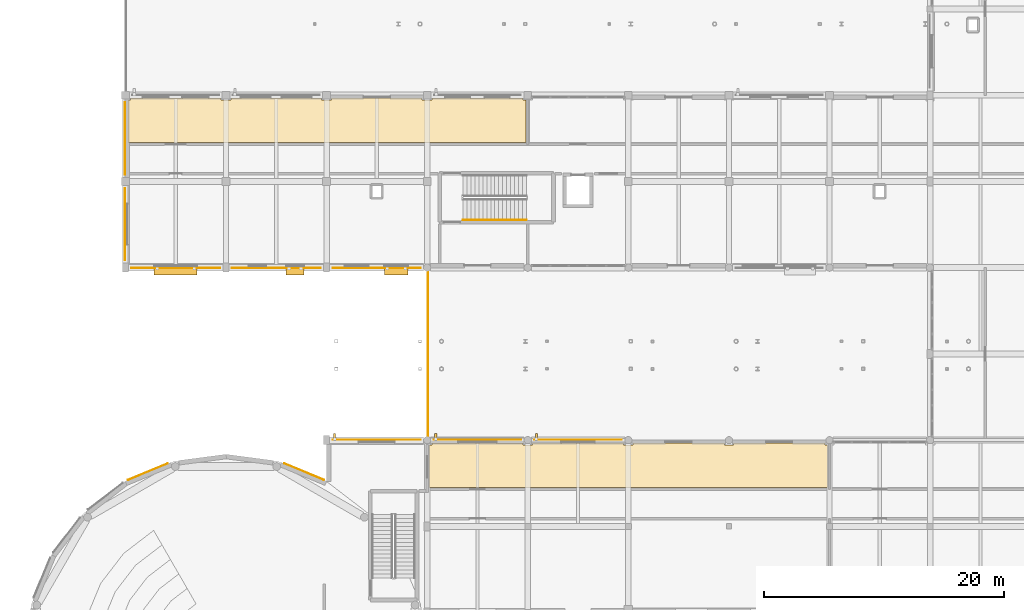
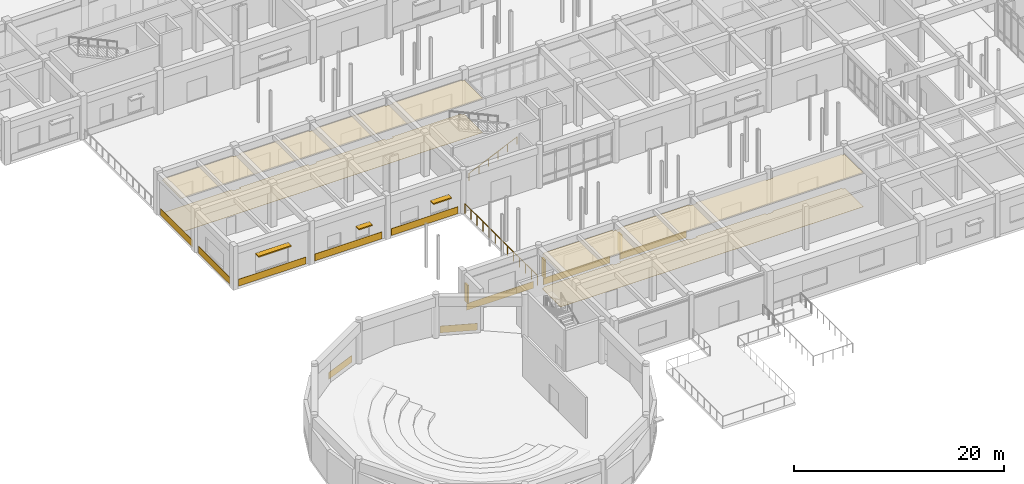
# One storey, part 100 of 121: 14 coverings, 6 shading devices, 2 railings.
"""IFC4 building model written with IfcOpenShell, lengths in metres."""

import ifcopenshell
import ifcopenshell.guid

model = None  # the IFC model being written
_history = None  # IfcOwnerHistory: only IFC2X3 demands one
_inside = {}  # id of a spatial element -> (the spatial element, [elements in it])
_under = {}  # id of a project, library or spatial element -> (it, [spatial elements below it])
_declared = {}  # id of a project -> (the project, [libraries it declares])
_typed = {}  # id of a type object -> (the type object, [elements of that type])
_made_of = {}  # id of a material, layer set ... -> (it, [elements and type objects made of it])


def new_model(schema):
    """Start an empty IFC model of exactly this schema.

    Asked for "IFC4X3", IfcOpenShell would pick the latest addendum, in which some entities
    have other attributes; the version numbers below select the first issue.
    IFC2X3 requires an IfcOwnerHistory on every rooted entity: one is made here for all.
    """
    global model, _history
    if schema == "IFC4X3":
        model = ifcopenshell.file(schema_version=(4, 3, 0, 0))
    else:
        model = ifcopenshell.file(schema=schema)
    _inside.clear()
    _under.clear()
    _declared.clear()
    _typed.clear()
    _made_of.clear()
    _history = None
    if model.schema == "IFC2X3":
        org = make("IfcOrganization", Name="unknown")
        user = make(
            "IfcPersonAndOrganization",
            ThePerson=make("IfcPerson", FamilyName="unknown"),
            TheOrganization=org,
        )
        app = make(
            "IfcApplication",
            ApplicationDeveloper=org,
            Version="unknown",
            ApplicationFullName="unknown",
            ApplicationIdentifier="unknown",
        )
        _history = make(
            "IfcOwnerHistory",
            OwningUser=user,
            OwningApplication=app,
            ChangeAction="ADDED",
            CreationDate=0,
        )
    return model


def make(cls, **values):
    """One entity of the class cls with the attributes given. An attribute that is None is left unset."""
    return model.create_entity(
        cls, **{name: value for name, value in values.items() if value is not None}
    )


def rooted(cls, **values):
    """An entity with a GlobalId (a new one), such as an element, a storey or a relation."""
    return make(cls, GlobalId=ifcopenshell.guid.new(), OwnerHistory=_history, **values)


def si_unit(unit_type, name, prefix=None):
    """IfcSIUnit, for example si_unit("LENGTHUNIT", "METRE", prefix="MILLI")."""
    return make("IfcSIUnit", UnitType=unit_type, Prefix=prefix, Name=name)


def assignment(units):
    """IfcUnitAssignment: the units of a project."""
    return None if units is None else make("IfcUnitAssignment", Units=units)


def point(xyz):
    """IfcCartesianPoint."""
    return None if xyz is None else make("IfcCartesianPoint", Coordinates=xyz)


def direction(xyz):
    """IfcDirection."""
    return None if xyz is None else make("IfcDirection", DirectionRatios=xyz)


def frame(location, z_axis=None, x_axis=None):
    """IfcAxis2Placement3D, a coordinate frame: its origin and axes. An axis left out is left unset."""
    return make(
        "IfcAxis2Placement3D",
        Location=point(location),
        Axis=direction(z_axis),
        RefDirection=direction(x_axis),
    )


def frame_2d(location, x_axis=None):
    """IfcAxis2Placement2D, a coordinate frame in the plane: its origin and x axis."""
    return make(
        "IfcAxis2Placement2D", Location=point(location), RefDirection=direction(x_axis)
    )


def origin():
    """The frame at (0, 0, 0) with its axes left unset."""
    return frame((0.0, 0.0, 0.0))


def origin_2d():
    """The frame at (0, 0) in the plane with its x axis left unset."""
    return frame_2d((0.0, 0.0))


def place(relative_to, where):
    """IfcLocalPlacement: puts the frame where relative to a parent placement (None: the world)."""
    return make(
        "IfcLocalPlacement", PlacementRelTo=relative_to, RelativePlacement=where
    )


def context(
    kind, dimensions, precision=None, world=None, true_north=None, identifier=None
):
    """IfcGeometricRepresentationContext, for example the 3D "Model" context."""
    return make(
        "IfcGeometricRepresentationContext",
        ContextIdentifier=identifier,
        ContextType=kind,
        CoordinateSpaceDimension=dimensions,
        Precision=precision,
        WorldCoordinateSystem=world,
        TrueNorth=true_north,
    )


def subcontext(parent, identifier, kind, view, scale=None):
    """IfcGeometricRepresentationSubContext, for example "Body" below "Model"."""
    return make(
        "IfcGeometricRepresentationSubContext",
        ContextIdentifier=identifier,
        ContextType=kind,
        ParentContext=parent,
        TargetScale=scale,
        TargetView=view,
    )


def project(units=None, contexts=None):
    """IfcProject with its units and contexts."""
    return rooted(
        "IfcProject",
        Name="project",
        RepresentationContexts=contexts,
        UnitsInContext=assignment(units),
    )


def spatial(cls, under=None, at=None, **own):
    """A site, building, storey or space (cls), placed at a placement, below another one or the project."""
    s = rooted(cls, ObjectPlacement=at, **own)
    if under is not None:
        _under.setdefault(under.id(), (under, []))[1].append(s)
    return s


def polyline(points):
    """IfcPolyline through the points."""
    return make("IfcPolyline", Points=[point(p) for p in points])


def profile(cls, at=None, kind="AREA", **sizes):
    """A parametric profile (cls). Its sizes go by their IFC names, for example OverallWidth=200.0."""
    return make(cls, ProfileType=kind, Position=at, **sizes)


def rectangle(**sizes):
    """IfcRectangleProfileDef."""
    return profile("IfcRectangleProfileDef", **sizes)


def circle(**sizes):
    """IfcCircleProfileDef."""
    return profile("IfcCircleProfileDef", **sizes)


def outline(outer, holes=None, kind="AREA"):
    """IfcArbitraryClosedProfileDef: a profile drawn as a closed curve; with holes, ...WithVoids."""
    if holes is None:
        return make("IfcArbitraryClosedProfileDef", ProfileType=kind, OuterCurve=outer)
    return make(
        "IfcArbitraryProfileDefWithVoids",
        ProfileType=kind,
        OuterCurve=outer,
        InnerCurves=holes,
    )


def extrude(swept, where, along, depth):
    """IfcExtrudedAreaSolid: the profile swept, set in the frame where, extruded along a direction by depth."""
    return make(
        "IfcExtrudedAreaSolid",
        SweptArea=swept,
        Position=where,
        ExtrudedDirection=direction(along),
        Depth=depth,
    )


def shape(context_of_items, identifier, shape_type, items):
    """IfcShapeRepresentation: the items that make up one representation, for example the "Body"."""
    return make(
        "IfcShapeRepresentation",
        ContextOfItems=context_of_items,
        RepresentationIdentifier=identifier,
        RepresentationType=shape_type,
        Items=items,
    )


def material(Name=None, Category=None):
    """IfcMaterial."""
    return make("IfcMaterial", Name=Name, Category=Category)


def layer(
    of_material, thickness, ventilated=None, Name=None, Category=None, Priority=None
):
    """IfcMaterialLayer: one layer of a wall or slab, of a material (None: an air gap)."""
    return make(
        "IfcMaterialLayer",
        Material=of_material,
        LayerThickness=thickness,
        IsVentilated=ventilated,
        Name=Name,
        Category=Category,
        Priority=Priority,
    )


def layer_set(layers, Name=None):
    """IfcMaterialLayerSet."""
    return make("IfcMaterialLayerSet", MaterialLayers=layers, LayerSetName=Name)


def made_of(thing, what):
    """Note that an element or type object is made of a material, layer set ...; save() writes the relation."""
    if what is not None:
        _made_of.setdefault(what.id(), (what, []))[1].append(thing)
    return thing


def type_object(cls, material=None, **own):
    """A type object (cls), such as IfcWallType, which elements share."""
    return made_of(rooted(cls, **own), material)


def element(
    cls,
    number,
    at=None,
    inside=None,
    cuts=None,
    type_object=None,
    material=None,
    context=None,
    identifier="Body",
    shape_type=None,
    held_by="IfcProductDefinitionShape",
    body=None,
    shapes=None,
    **own,
):
    """One element of the class cls, such as IfcWall. Its Tag is "e" and its number.

    at: its placement. inside: the storey or other place that contains it. cuts: it is an
    opening in that element (IfcRelVoidsElement). A single representation is given by context,
    identifier, shape_type and body (its items); several are given by shapes. held_by: the class
    of the entity that holds the representations. save() writes the other relations.
    """
    e = rooted(cls, Tag="e%d" % number, ObjectPlacement=at, **own)
    if body is not None:
        shapes = [shape(context, identifier, shape_type, body)]
    if shapes is not None:
        e.Representation = make(held_by, Representations=shapes)
    if inside is not None:
        _inside.setdefault(inside.id(), (inside, []))[1].append(e)
    if cuts is not None:
        rooted(
            "IfcRelVoidsElement", RelatingBuildingElement=cuts, RelatedOpeningElement=e
        )
    if type_object is not None:
        _typed.setdefault(type_object.id(), (type_object, []))[1].append(e)
    return made_of(e, material)


def aggregate(whole, parts):
    """IfcRelAggregates: a whole, such as a stair, and the parts it consists of."""
    return rooted("IfcRelAggregates", RelatingObject=whole, RelatedObjects=parts)


def save(model, path):
    """Write the relations noted so far, then the file.

    IfcRelAggregates (storeys below a building ...), IfcRelContainedInSpatialStructure (elements
    in a storey), IfcRelDefinesByType, IfcRelAssociatesMaterial and IfcRelDeclares: one each for
    every whole, place, type object, material and project.
    """
    for whole, parts in _under.values():
        aggregate(whole, parts)
    for where, things in _inside.values():
        rooted(
            "IfcRelContainedInSpatialStructure",
            RelatedElements=things,
            RelatingStructure=where,
        )
    for kind, things in _typed.values():
        rooted("IfcRelDefinesByType", RelatedObjects=things, RelatingType=kind)
    for what, things in _made_of.values():
        rooted("IfcRelAssociatesMaterial", RelatedObjects=things, RelatingMaterial=what)
    for by, libraries in _declared.values():
        rooted("IfcRelDeclares", RelatingContext=by, RelatedDefinitions=libraries)
    model.write(path)


model = new_model("IFC4")

# Units and contexts
model_context = context("Model", 3, precision=1e-05, world=origin(), true_north=direction((0.0, 1.0)))
body_context = subcontext(model_context, "Body", "Model", "MODEL_VIEW")
ifc_project = project(units=[si_unit("LENGTHUNIT", "METRE"), si_unit("AREAUNIT", "SQUARE_METRE"), si_unit("VOLUMEUNIT", "CUBIC_METRE"), si_unit("PLANEANGLEUNIT", "RADIAN"), si_unit("MASSUNIT", "GRAM", prefix="KILO")], contexts=[model_context])

# Site, building, storey
site_placement = place(None, origin())
site = spatial("IfcSite", under=ifc_project, at=site_placement, CompositionType="ELEMENT")
building_placement = place(site_placement, origin())
building = spatial("IfcBuilding", under=site, at=building_placement, Name="Malvenik Polytechnic", CompositionType="ELEMENT")
storey_placement = place(building_placement, origin())
storey = spatial("IfcBuildingStorey", under=building, at=storey_placement, Name="L00", CompositionType="ELEMENT", Elevation=0.0)

# Coverings
ifc_material_1 = material(Name="Perforated mineral-fibre acoustic suspended ceiling 600x600", Category="gypsum")
ifc_layer_1 = layer(ifc_material_1, 0.02490234375)
ifc_layer_set_1 = layer_set([ifc_layer_1], Name="Perforated mineral-fibre acoustic suspended ceiling 600x600")
covering_type_1 = type_object("IfcCoveringType", Name="ARC-COV-CEIL-AC", PredefinedType="CEILING", material=ifc_layer_set_1)
covering_1_placement = place(storey_placement, frame((0.0, 0.0, 3.93505859375)))
element("IfcCovering", 1, at=covering_1_placement, inside=storey, type_object=covering_type_1, Name="Acoustic Ceiling L00 Metrology Calibration Classroom", PredefinedType="CEILING", context=body_context, shape_type="SweptSolid", body=[
    extrude(outline(polyline([(8.6201171875, 64.385009765625), (8.81494140625, 64.385009765625), (8.81494140625, 64.580078125), (16.385009765625, 64.580078125), (16.385009765625, 64.385009765625), (17.215087890625, 64.385009765625), (17.215087890625, 64.580078125), (24.784912109375, 64.580078125), (24.784912109375, 64.385009765625), (25.614990234375, 64.385009765625), (25.614990234375, 64.580078125), (33.18505859375, 64.580078125), (33.18505859375, 64.385009765625), (34.014892578125, 64.385009765625), (34.014892578125, 64.580078125), (41.5849609375, 64.580078125), (41.5849609375, 64.385009765625), (41.840087890625, 64.385009765625), (41.840087890625, 60.860107421875), (8.6201171875, 60.860107421875), (8.6201171875, 64.385009765625)])), origin(), (0.0, 0.0, 1.0), 0.02490234375),
])
covering_2_placement = place(storey_placement, frame((0.0, 0.0, 3.93505859375)))
element("IfcCovering", 2, at=covering_2_placement, inside=storey, type_object=covering_type_1, Name="Acoustic Ceiling L00 Main Civic Entrance Concourse", PredefinedType="CEILING", context=body_context, shape_type="SweptSolid", body=[
    extrude(outline(polyline([(41.610107421875, 35.610107421875), (42.389892578125, 35.610107421875), (42.389892578125, 35.780029296875), (50.010009765625, 35.780029296875), (50.010009765625, 35.610107421875), (50.7900390625, 35.610107421875), (50.7900390625, 35.780029296875), (58.409912109375, 35.780029296875), (58.409912109375, 35.610107421875), (59.18994140625, 35.610107421875), (59.18994140625, 35.780029296875), (66.81005859375, 35.780029296875), (66.81005859375, 35.610107421875), (67.0400390625, 35.610107421875), (67.0400390625, 32.06005859375), (33.760009765625, 32.06005859375), (33.760009765625, 35.610107421875), (33.989990234375, 35.610107421875), (33.989990234375, 35.780029296875), (41.610107421875, 35.780029296875), (41.610107421875, 35.610107421875)])), origin(), (0.0, 0.0, 1.0), 0.02490234375),
])
ifc_material_2 = material(Name="Glazed ochre architectural terracotta rainscreen tile 35mm", Category="masonry")
ifc_layer_2 = layer(ifc_material_2, 0.034912109375)
ifc_layer_set_2 = layer_set([ifc_layer_2], Name="Glazed ochre architectural terracotta rainscreen tile 35mm")
covering_type_2 = type_object("IfcCoveringType", Name="ARC-COV-CLAD-TERR", PredefinedType="CLADDING", material=ifc_layer_set_2)
covering_3_placement = place(storey_placement, frame((0.0, 0.0, 0.050048828125)))
element("IfcCovering", 3, at=covering_3_placement, inside=storey, type_object=covering_type_2, Name="Stone Rainscreen Band CL-02 L00 #11", PredefinedType="CLADDING", context=body_context, shape_type="SweptSolid", body=[
    extrude(outline(polyline([(8.624755859375, 32.65966796875), (11.94287109375, 34.0341796875), (11.929443359375, 34.06640625), (8.611328125, 32.69189453125), (8.624755859375, 32.65966796875)])), origin(), (0.0, 0.0, 1.0), 0.800048828125),
])
covering_4_placement = place(storey_placement, frame((0.0, 0.0, 0.050048828125)))
element("IfcCovering", 4, at=covering_4_placement, inside=storey, type_object=covering_type_2, Name="Stone Rainscreen Band CL-02 L00 #12", PredefinedType="CLADDING", context=body_context, shape_type="SweptSolid", body=[
    extrude(outline(polyline([(21.656982421875, 34.0341796875), (24.97509765625, 32.65966796875), (24.988525390625, 32.69189453125), (21.67041015625, 34.06640625), (21.656982421875, 34.0341796875)])), origin(), (0.0, 0.0, 1.0), 0.800048828125),
])
covering_5_placement = place(storey_placement, frame((0.0, 0.0, 0.050048828125)))
element("IfcCovering", 5, at=covering_5_placement, inside=storey, type_object=covering_type_2, Name="Stone Rainscreen Band CL-02 L00 #13", PredefinedType="CLADDING", context=body_context, shape_type="SweptSolid", body=[
    extrude(outline(polyline([(25.697998046875, 36.01611328125), (33.052001953125, 36.01611328125), (33.052001953125, 36.051025390625), (25.697998046875, 36.051025390625), (25.697998046875, 36.01611328125)])), origin(), (0.0, 0.0, 1.0), 0.800048828125),
])
covering_6_placement = place(storey_placement, frame((0.0, 0.0, 0.050048828125)))
element("IfcCovering", 6, at=covering_6_placement, inside=storey, type_object=covering_type_2, Name="Stone Rainscreen Band CL-02 L00 #14", PredefinedType="CLADDING", context=body_context, shape_type="SweptSolid", body=[
    extrude(outline(polyline([(34.14794921875, 36.01611328125), (41.451904296875, 36.01611328125), (41.451904296875, 36.051025390625), (34.14794921875, 36.051025390625), (34.14794921875, 36.01611328125)])), origin(), (0.0, 0.0, 1.0), 0.800048828125),
])
covering_7_placement = place(storey_placement, frame((0.0, 0.0, 0.050048828125)))
element("IfcCovering", 7, at=covering_7_placement, inside=storey, type_object=covering_type_2, Name="Stone Rainscreen Band CL-02 L00 #15", PredefinedType="CLADDING", context=body_context, shape_type="SweptSolid", body=[
    extrude(outline(polyline([(42.548095703125, 36.01611328125), (49.85205078125, 36.01611328125), (49.85205078125, 36.051025390625), (42.548095703125, 36.051025390625), (42.548095703125, 36.01611328125)])), origin(), (0.0, 0.0, 1.0), 0.800048828125),
])
covering_8_placement = place(storey_placement, frame((0.0, 0.0, 0.050048828125)))
element("IfcCovering", 8, at=covering_8_placement, inside=storey, type_object=covering_type_2, Name="Stone Rainscreen Band CL-02 L00 #17", PredefinedType="CLADDING", context=body_context, shape_type="SweptSolid", body=[
    extrude(outline(polyline([(33.052001953125, 50.384033203125), (25.697998046875, 50.384033203125), (25.697998046875, 50.34912109375), (33.052001953125, 50.34912109375), (33.052001953125, 50.384033203125)])), origin(), (0.0, 0.0, 1.0), 0.800048828125),
])
covering_9_placement = place(storey_placement, frame((0.0, 0.0, 0.050048828125)))
element("IfcCovering", 9, at=covering_9_placement, inside=storey, type_object=covering_type_2, Name="Stone Rainscreen Band CL-02 L00 #18", PredefinedType="CLADDING", context=body_context, shape_type="SweptSolid", body=[
    extrude(outline(polyline([(24.701904296875, 50.384033203125), (17.298095703125, 50.384033203125), (17.298095703125, 50.34912109375), (24.701904296875, 50.34912109375), (24.701904296875, 50.384033203125)])), origin(), (0.0, 0.0, 1.0), 0.800048828125),
])
covering_10_placement = place(storey_placement, frame((0.0, 0.0, 0.050048828125)))
element("IfcCovering", 10, at=covering_10_placement, inside=storey, type_object=covering_type_2, Name="Stone Rainscreen Band CL-02 L00 #19", PredefinedType="CLADDING", context=body_context, shape_type="SweptSolid", body=[
    extrude(outline(polyline([(16.302001953125, 50.384033203125), (8.89794921875, 50.384033203125), (8.89794921875, 50.34912109375), (16.302001953125, 50.34912109375), (16.302001953125, 50.384033203125)])), origin(), (0.0, 0.0, 1.0), 0.800048828125),
])
covering_11_placement = place(storey_placement, frame((0.0, 0.0, 0.050048828125)))
element("IfcCovering", 11, at=covering_11_placement, inside=storey, type_object=covering_type_2, Name="Stone Rainscreen Band CL-02 L00 #20", PredefinedType="CLADDING", context=body_context, shape_type="SweptSolid", body=[
    extrude(outline(polyline([(8.384033203125, 51.02294921875), (8.384033203125, 57.027099609375), (8.34912109375, 57.027099609375), (8.34912109375, 51.02294921875), (8.384033203125, 51.02294921875)])), origin(), (0.0, 0.0, 1.0), 0.800048828125),
])
covering_12_placement = place(storey_placement, frame((0.0, 0.0, 0.050048828125)))
element("IfcCovering", 12, at=covering_12_placement, inside=storey, type_object=covering_type_2, Name="Stone Rainscreen Band CL-02 L00 #21", PredefinedType="CLADDING", context=body_context, shape_type="SweptSolid", body=[
    extrude(outline(polyline([(8.384033203125, 58.173095703125), (8.384033203125, 64.22705078125), (8.34912109375, 64.22705078125), (8.34912109375, 58.173095703125), (8.384033203125, 58.173095703125)])), origin(), (0.0, 0.0, 1.0), 0.800048828125),
])
ifc_material_3 = material(Name="Polished Danube aggregate terrazzo flooring 20mm", Category="stone")
ifc_layer_3 = layer(ifc_material_3, 0.02001953125)
ifc_layer_set_3 = layer_set([ifc_layer_3], Name="Polished Danube aggregate terrazzo flooring 20mm")
covering_type_3 = type_object("IfcCoveringType", Name="ARC-COV-FLR-TER", PredefinedType="FLOORING", material=ifc_layer_set_3)
covering_13_placement = place(storey_placement, origin())
element("IfcCovering", 13, at=covering_13_placement, inside=storey, type_object=covering_type_3, Name="Floor Finish FLR-01 L00 Metrology Calibration Classroom", PredefinedType="FLOORING", context=body_context, shape_type="SweptSolid", body=[
    extrude(outline(polyline([(8.6201171875, 64.385009765625), (8.81494140625, 64.385009765625), (8.81494140625, 64.580078125), (16.385009765625, 64.580078125), (16.385009765625, 64.385009765625), (17.215087890625, 64.385009765625), (17.215087890625, 64.580078125), (24.784912109375, 64.580078125), (24.784912109375, 64.385009765625), (25.614990234375, 64.385009765625), (25.614990234375, 64.580078125), (33.18505859375, 64.580078125), (33.18505859375, 64.385009765625), (34.014892578125, 64.385009765625), (34.014892578125, 64.580078125), (41.5849609375, 64.580078125), (41.5849609375, 64.385009765625), (41.840087890625, 64.385009765625), (41.840087890625, 60.860107421875), (8.6201171875, 60.860107421875), (8.6201171875, 64.385009765625)])), origin(), (0.0, 0.0, 1.0), 0.02001953125),
])
covering_14_placement = place(storey_placement, origin())
element("IfcCovering", 14, at=covering_14_placement, inside=storey, type_object=covering_type_3, Name="Floor Finish FLR-01 L00 Main Civic Entrance Concourse", PredefinedType="FLOORING", context=body_context, shape_type="SweptSolid", body=[
    extrude(outline(polyline([(41.610107421875, 35.610107421875), (42.389892578125, 35.610107421875), (42.389892578125, 35.780029296875), (50.010009765625, 35.780029296875), (50.010009765625, 35.610107421875), (50.7900390625, 35.610107421875), (50.7900390625, 35.780029296875), (58.409912109375, 35.780029296875), (58.409912109375, 35.610107421875), (59.18994140625, 35.610107421875), (59.18994140625, 35.780029296875), (66.81005859375, 35.780029296875), (66.81005859375, 35.610107421875), (67.0400390625, 35.610107421875), (67.0400390625, 32.06005859375), (33.760009765625, 32.06005859375), (33.760009765625, 35.610107421875), (33.989990234375, 35.610107421875), (33.989990234375, 35.780029296875), (41.610107421875, 35.780029296875), (41.610107421875, 35.610107421875)])), origin(), (0.0, 0.0, 1.0), 0.02001953125),
])

# Railings
ifc_material_4 = material(Name="Galvanised powder-coated steel and laminated glass guard 1150mm", Category="steel")
ifc_layer_4 = layer(ifc_material_4, 0.070068359375)
ifc_layer_set_4 = layer_set([ifc_layer_4], Name="Galvanised powder-coated steel and laminated glass guard 1150mm")
railing_type_1 = type_object("IfcRailingType", Name="ARC-RL-BAL-1150", PredefinedType="BALUSTRADE", material=ifc_layer_set_4)
railing_1_placement = place(storey_placement, frame((33.659912109375, 36.320068359375, 0.0)))
element("IfcRailing", 15, at=railing_1_placement, inside=storey, type_object=railing_type_1, Name="Terrace Perimeter Balustrade L00 #5", PredefinedType="BALUSTRADE", context=body_context, shape_type="SweptSolid", body=[
    extrude(circle(Radius=0.02392578125, at=origin_2d()), frame((0.0, 0.0, 1.1259765625), z_axis=(0.0, 1.0, 0.0), x_axis=(-1.0, 0.0, 0.0)), (0.0, 0.0, 1.0), 13.760009765625),
    extrude(circle(Radius=0.02099609375, at=origin_2d()), origin(), (0.0, 0.0, 1.0), 1.101806640625),
    extrude(circle(Radius=0.02099609375, at=origin_2d()), frame((0.0, 1.146728515625, 0.0)), (0.0, 0.0, 1.0), 1.101806640625),
    extrude(circle(Radius=0.02099609375, at=origin_2d()), frame((0.0, 2.29345703125, 0.0)), (0.0, 0.0, 1.0), 1.101806640625),
    extrude(circle(Radius=0.02099609375, at=origin_2d()), frame((0.0, 3.43994140625, 0.0)), (0.0, 0.0, 1.0), 1.101806640625),
    extrude(circle(Radius=0.02099609375, at=origin_2d()), frame((0.0, 4.586669921875, 0.0)), (0.0, 0.0, 1.0), 1.101806640625),
    extrude(circle(Radius=0.02099609375, at=origin_2d()), frame((0.0, 5.7333984375, 0.0)), (0.0, 0.0, 1.0), 1.101806640625),
    extrude(circle(Radius=0.02099609375, at=origin_2d()), frame((0.0, 6.8798828125, 0.0)), (0.0, 0.0, 1.0), 1.101806640625),
    extrude(circle(Radius=0.02099609375, at=origin_2d()), frame((0.0, 8.026611328125, 0.0)), (0.0, 0.0, 1.0), 1.101806640625),
    extrude(circle(Radius=0.02099609375, at=origin_2d()), frame((0.0, 9.17333984375, 0.0)), (0.0, 0.0, 1.0), 1.101806640625),
    extrude(circle(Radius=0.02099609375, at=origin_2d()), frame((0.0, 10.320068359375, 0.0)), (0.0, 0.0, 1.0), 1.101806640625),
    extrude(circle(Radius=0.02099609375, at=origin_2d()), frame((0.0, 11.466796875, 0.0)), (0.0, 0.0, 1.0), 1.101806640625),
    extrude(circle(Radius=0.02099609375, at=origin_2d()), frame((0.0, 12.61328125, 0.0)), (0.0, 0.0, 1.0), 1.101806640625),
    extrude(circle(Radius=0.02099609375, at=origin_2d()), frame((0.0, 13.760009765625, 0.0)), (0.0, 0.0, 1.0), 1.101806640625),
])
ifc_material_5 = material(Name="Brushed stainless steel 1.4301 stair wall handrail", Category="steel")
ifc_layer_5 = layer(ifc_material_5, 0.044921875)
ifc_layer_set_5 = layer_set([ifc_layer_5], Name="Brushed stainless steel 1.4301 stair wall handrail")
railing_type_2 = type_object("IfcRailingType", Name="ARC-RL-STHR", PredefinedType="HANDRAIL", material=ifc_layer_set_5)
railing_2_placement = place(storey_placement, frame((36.60009765625, 54.39990234375, 0.14990234375)))
element("IfcRailing", 16, at=railing_2_placement, inside=storey, type_object=railing_type_2, Name="L00 ST-06 stair handrail 1", PredefinedType="HANDRAIL", context=body_context, shape_type="SweptSolid", body=[
    extrude(circle(Radius=0.02392578125, at=origin_2d()), frame((0.0, 0.0, 0.8759765625), z_axis=(0.910350619016, 0.0, 0.413837831108), x_axis=(0.0, 1.0, 0.0)), (0.0, 0.0, 1.0), 5.7998046875),
    extrude(circle(Radius=0.02099609375, at=origin_2d()), origin(), (0.0, 0.0, 1.0), 0.851806640625),
    extrude(circle(Radius=0.02099609375, at=origin_2d()), frame((1.055908203125, 0.0, 0.47998046875)), (0.0, 0.0, 1.0), 0.851806640625),
    extrude(circle(Radius=0.02099609375, at=origin_2d()), frame((2.11181640625, 0.0, 0.9599609375)), (0.0, 0.0, 1.0), 0.851806640625),
    extrude(circle(Radius=0.02099609375, at=origin_2d()), frame((3.16796875, 0.0, 1.440185546875)), (0.0, 0.0, 1.0), 0.851806640625),
    extrude(circle(Radius=0.02099609375, at=origin_2d()), frame((4.223876953125, 0.0, 1.920166015625)), (0.0, 0.0, 1.0), 0.851806640625),
    extrude(circle(Radius=0.02099609375, at=origin_2d()), frame((5.27978515625, 0.0, 2.400146484375)), (0.0, 0.0, 1.0), 0.851806640625),
])

# Shading devices
ifc_material_6 = material(Name="Precast ultra-high-performance fibre concrete sunshade fin", Category="concrete")
shading_device_type_1 = type_object("IfcShadingDeviceType", Name="ARC-SHD-FIN", PredefinedType="USERDEFINED", material=ifc_material_6)
for number, where, z_axis, x_axis, name in (
    (17, (25.867919921875, 36.280029296875, 0.800048828125), (0.0, 0.0, 1.0), (1.0, 0.0, 0.0), "Vertical UHPC Sunshade Fin SH-02 #1"),
    (18, (34.318115234375, 36.280029296875, 0.800048828125), (0.0, 0.0, 1.0), (1.0, 0.0, 0.0), "Vertical UHPC Sunshade Fin SH-02 #2"),
    (19, (42.718017578125, 36.280029296875, 0.800048828125), (0.0, 0.0, 1.0), (1.0, 0.0, 0.0), "Vertical UHPC Sunshade Fin SH-02 #3"),
):
    element("IfcShadingDevice", number, at=place(storey_placement, frame(where, z_axis=z_axis, x_axis=x_axis)), inside=storey, type_object=shading_device_type_1, Name=name, ObjectType="SUNSHADE FIN", PredefinedType="USERDEFINED", context=body_context, shape_type="SweptSolid", body=[
        extrude(rectangle(XDim=0.179931640625, YDim=0.56005859375, at=origin_2d()), origin(), (0.0, 0.0, 1.0), 2.10009765625),
    ])
ifc_material_7 = material(Name="Extruded anodised aluminium solar brise-soleil louvre", Category="aluminium")
shading_device_type_2 = type_object("IfcShadingDeviceType", Name="ARC-SHD-LOUVRE", PredefinedType="JALOUSIE", material=ifc_material_7)
shading_device_1_placement = place(storey_placement, frame((31.017333984375, 50.10009765625, 2.4599609375), z_axis=(0.0, 0.0, 1.0), x_axis=(1.0, 0.0, 0.0)))
element("IfcShadingDevice", 20, at=shading_device_1_placement, inside=storey, type_object=shading_device_type_2, Name="Solar Brise-Soleil Louvre SH-01 #3", PredefinedType="JALOUSIE", context=body_context, shape_type="SweptSolid", body=[
    extrude(rectangle(XDim=2.0, YDim=0.60009765625, at=origin_2d()), origin(), (0.0, 0.0, 1.0), 0.139892578125),
])
shading_device_2_placement = place(storey_placement, frame((22.5673828125, 50.10009765625, 2.35986328125), z_axis=(0.0, 0.0, 1.0), x_axis=(1.0, 0.0, 0.0)))
element("IfcShadingDevice", 21, at=shading_device_2_placement, inside=storey, type_object=shading_device_type_2, Name="Solar Brise-Soleil Louvre SH-01 #4", PredefinedType="JALOUSIE", context=body_context, shape_type="SweptSolid", body=[
    extrude(rectangle(XDim=1.5, YDim=0.60009765625, at=origin_2d()), origin(), (0.0, 0.0, 1.0), 0.139892578125),
])
shading_device_3_placement = place(storey_placement, frame((12.60009765625, 50.10009765625, 3.06005859375), z_axis=(0.0, 0.0, 1.0), x_axis=(1.0, 0.0, 0.0)))
element("IfcShadingDevice", 22, at=shading_device_3_placement, inside=storey, type_object=shading_device_type_2, Name="Solar Brise-Soleil Louvre SH-01 #5", PredefinedType="JALOUSIE", context=body_context, shape_type="SweptSolid", body=[
    extrude(rectangle(XDim=3.60009765625, YDim=0.60009765625, at=origin_2d()), origin(), (0.0, 0.0, 1.0), 0.139892578125),
])

save(model, "model.ifc")
